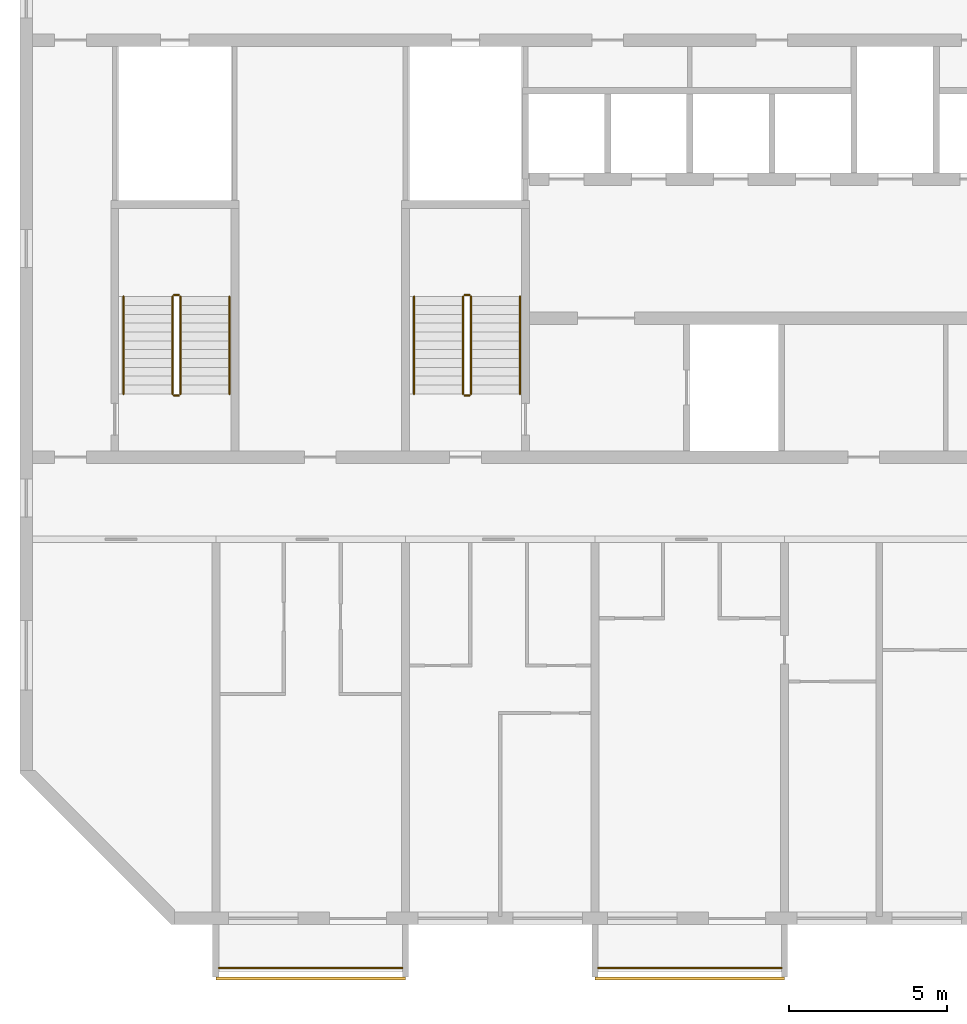
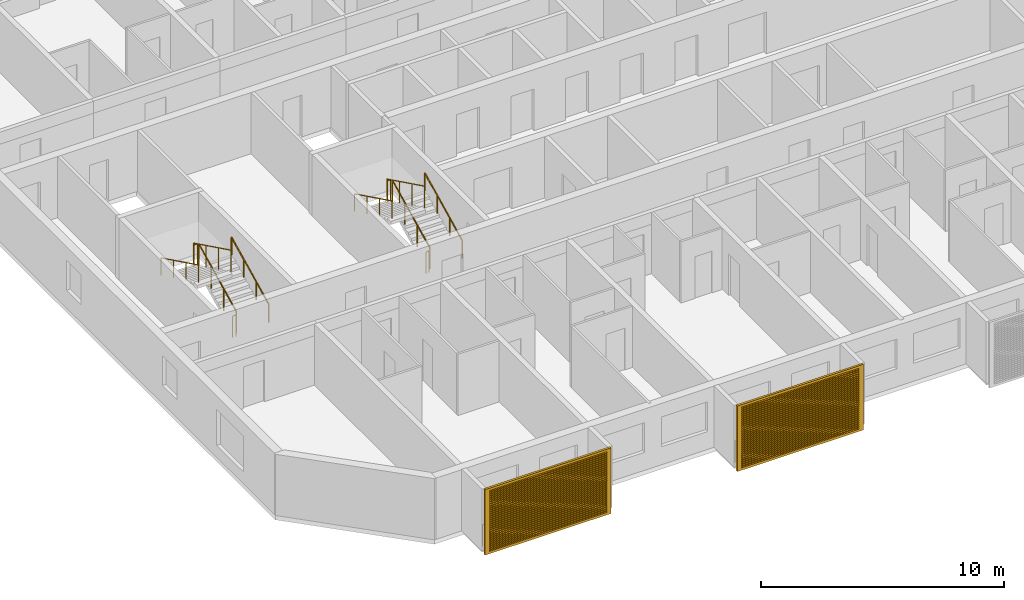
# One storey, part 12 of 26: 14 railings, 2 shading devices.
"""IFC4 building model written with IfcOpenShell, lengths in metres."""

from ifc_helpers import new_model, si_unit, direction, frame, origin, origin_2d, place, context, subcontext, project, spatial, polyline, circle, outline, extrude, source, transform, mapped, material, material_profile, profile_set, type_object, element, save


model = new_model("IFC4")

# Units and contexts
model_context = context("Model", 3, precision=1e-05, world=origin(), true_north=direction((0.0, 1.0)))
body_context = subcontext(model_context, "Body", "Model", "MODEL_VIEW")
ifc_project = project(units=[si_unit("LENGTHUNIT", "METRE"), si_unit("AREAUNIT", "SQUARE_METRE"), si_unit("VOLUMEUNIT", "CUBIC_METRE"), si_unit("PLANEANGLEUNIT", "RADIAN"), si_unit("MASSUNIT", "GRAM", prefix="KILO")], contexts=[model_context])

# Site, building, storey
site_placement = place(None, origin())
site = spatial("IfcSite", under=ifc_project, at=site_placement, CompositionType="ELEMENT")
building_placement = place(site_placement, origin())
building = spatial("IfcBuilding", under=site, at=building_placement, Name="Poui Terraces", CompositionType="ELEMENT")
storey_placement = place(building_placement, frame((0.0, 0.0, 175.199951171875)))
storey = spatial("IfcBuildingStorey", under=building, at=storey_placement, Name="L48", CompositionType="ELEMENT", Elevation=175.199951171875)

# Railings
ifc_material_1 = material(Name="Painted steel fretwork", Category="steel")
railing_type_1 = type_object("IfcRailingType", Name="BALCONY GUARD 1100", PredefinedType="GUARDRAIL", material=ifc_material_1)
for number, where, name in (
    (1, (24.10009765625, -1.570068359375, 0.0), "BALCONY GUARD"),
    (2, (36.10009765625, -1.570068359375, 0.0), "BALCONY GUARD"),
):
    element("IfcRailing", number, at=place(storey_placement, frame(where)), inside=storey, type_object=railing_type_1, Name=name, PredefinedType="GUARDRAIL", context=body_context, shape_type="SweptSolid", body=[
        extrude(circle(Radius=0.02392578125, at=origin_2d()), frame((0.0, 0.0, 1.076171875), z_axis=(1.0, 0.0, 0.0), x_axis=(0.0, 1.0, 0.0)), (0.0, 0.0, 1.0), 5.7998046875),
        extrude(circle(Radius=0.02099609375, at=origin_2d()), origin(), (0.0, 0.0, 1.0), 1.052001953125),
        extrude(circle(Radius=0.02099609375, at=origin_2d()), frame((0.966552734375, 0.0, 0.0)), (0.0, 0.0, 1.0), 1.052001953125),
        extrude(circle(Radius=0.02099609375, at=origin_2d()), frame((1.933349609375, 0.0, 0.0)), (0.0, 0.0, 1.0), 1.052001953125),
        extrude(circle(Radius=0.02099609375, at=origin_2d()), frame((2.89990234375, 0.0, 0.0)), (0.0, 0.0, 1.0), 1.052001953125),
        extrude(circle(Radius=0.02099609375, at=origin_2d()), frame((3.866455078125, 0.0, 0.0)), (0.0, 0.0, 1.0), 1.052001953125),
        extrude(circle(Radius=0.02099609375, at=origin_2d()), frame((4.833251953125, 0.0, 0.0)), (0.0, 0.0, 1.0), 1.052001953125),
        extrude(circle(Radius=0.02099609375, at=origin_2d()), frame((5.7998046875, 0.0, 0.0)), (0.0, 0.0, 1.0), 1.052001953125),
    ])
ifc_material_2 = material(Name="Galvanised steel balustrade", Category="steel")
railing_type_2 = type_object("IfcRailingType", Name="STAIR GUARD 1100", PredefinedType="GUARDRAIL", material=ifc_material_2)
railing_1_placement = place(storey_placement, frame((32.074951171875, 16.60009765625, 0.137451171875)))
element("IfcRailing", 3, at=railing_1_placement, inside=storey, type_object=railing_type_2, Name="L48 ST-CW stair guard 1", PredefinedType="GUARDRAIL", context=body_context, shape_type="SweptSolid", body=[
    extrude(circle(Radius=0.02392578125, at=origin_2d()), frame((0.0, 0.0, 1.076171875), z_axis=(0.0, 0.897578036475, 0.440855609512), x_axis=(-1.0, 0.0, 0.0)), (0.0, 0.0, 1.0), 3.43115234375),
    extrude(circle(Radius=0.02099609375, at=origin_2d()), origin(), (0.0, 0.0, 1.0), 1.052001953125),
    extrude(circle(Radius=0.02099609375, at=origin_2d()), frame((0.0, 1.026611328125, 0.504150390625)), (0.0, 0.0, 1.0), 1.052001953125),
    extrude(circle(Radius=0.02099609375, at=origin_2d()), frame((0.0, 2.05322265625, 1.008544921875)), (0.0, 0.0, 1.0), 1.052001953125),
    extrude(circle(Radius=0.02099609375, at=origin_2d()), frame((0.0, 3.079833984375, 1.5126953125)), (0.0, 0.0, 1.0), 1.052001953125),
])
railing_2_placement = place(storey_placement, frame((32.02490234375, 19.72998046875, 1.650146484375)))
element("IfcRailing", 4, at=railing_2_placement, inside=storey, type_object=railing_type_2, Name="L48 ST-CW stair guard 2", PredefinedType="GUARDRAIL", context=body_context, shape_type="SweptSolid", body=[
    extrude(circle(Radius=0.02392578125, at=origin_2d()), frame((0.0, 0.0, 1.076171875), z_axis=(-1.0, 0.0, 0.0), x_axis=(0.0, -1.0, 0.0)), (0.0, 0.0, 1.0), 0.14990234375),
    extrude(circle(Radius=0.02099609375, at=origin_2d()), origin(), (0.0, 0.0, 1.0), 1.052001953125),
    extrude(circle(Radius=0.02099609375, at=origin_2d()), frame((-0.14990234375, 0.0, 0.0)), (0.0, 0.0, 1.0), 1.052001953125),
])
railing_3_placement = place(storey_placement, frame((31.824951171875, 19.679931640625, 1.78759765625)))
element("IfcRailing", 5, at=railing_3_placement, inside=storey, type_object=railing_type_2, Name="L48 ST-CW stair guard 3", PredefinedType="GUARDRAIL", context=body_context, shape_type="SweptSolid", body=[
    extrude(circle(Radius=0.02392578125, at=origin_2d()), frame((0.0, 0.0, 1.076171875), z_axis=(0.0, -0.897606190399, 0.440798283751), x_axis=(1.0, 0.0, 0.0)), (0.0, 0.0, 1.0), 3.43115234375),
    extrude(circle(Radius=0.02099609375, at=origin_2d()), origin(), (0.0, 0.0, 1.0), 1.052001953125),
    extrude(circle(Radius=0.02099609375, at=origin_2d()), frame((0.0, -1.026611328125, 0.504150390625)), (0.0, 0.0, 1.0), 1.052001953125),
    extrude(circle(Radius=0.02099609375, at=origin_2d()), frame((0.0, -2.05322265625, 1.00830078125)), (0.0, 0.0, 1.0), 1.052001953125),
    extrude(circle(Radius=0.02099609375, at=origin_2d()), frame((0.0, -3.079833984375, 1.512451171875)), (0.0, 0.0, 1.0), 1.052001953125),
])
railing_4_placement = place(storey_placement, frame((32.02490234375, 16.550048828125, 0.0)))
element("IfcRailing", 6, at=railing_4_placement, inside=storey, type_object=railing_type_2, Name="L48 ST-CW stair guard 4", PredefinedType="GUARDRAIL", context=body_context, shape_type="SweptSolid", body=[
    extrude(circle(Radius=0.02392578125, at=origin_2d()), frame((0.0, 0.0, 1.076171875), z_axis=(-1.0, 0.0, 0.0), x_axis=(0.0, -1.0, 0.0)), (0.0, 0.0, 1.0), 0.14990234375),
    extrude(circle(Radius=0.02099609375, at=origin_2d()), origin(), (0.0, 0.0, 1.0), 1.052001953125),
    extrude(circle(Radius=0.02099609375, at=origin_2d()), frame((-0.14990234375, 0.0, 0.0)), (0.0, 0.0, 1.0), 1.052001953125),
])
railing_5_placement = place(storey_placement, frame((22.875, 16.60009765625, 0.137451171875)))
element("IfcRailing", 7, at=railing_5_placement, inside=storey, type_object=railing_type_2, Name="L48 ST-W stair guard 1", PredefinedType="GUARDRAIL", context=body_context, shape_type="SweptSolid", body=[
    extrude(circle(Radius=0.02392578125, at=origin_2d()), frame((0.0, 0.0, 1.076171875), z_axis=(0.0, 0.897578036475, 0.440855609512), x_axis=(-1.0, 0.0, 0.0)), (0.0, 0.0, 1.0), 3.43115234375),
    extrude(circle(Radius=0.02099609375, at=origin_2d()), origin(), (0.0, 0.0, 1.0), 1.052001953125),
    extrude(circle(Radius=0.02099609375, at=origin_2d()), frame((0.0, 1.026611328125, 0.504150390625)), (0.0, 0.0, 1.0), 1.052001953125),
    extrude(circle(Radius=0.02099609375, at=origin_2d()), frame((0.0, 2.05322265625, 1.008544921875)), (0.0, 0.0, 1.0), 1.052001953125),
    extrude(circle(Radius=0.02099609375, at=origin_2d()), frame((0.0, 3.079833984375, 1.5126953125)), (0.0, 0.0, 1.0), 1.052001953125),
])
railing_6_placement = place(storey_placement, frame((22.824951171875, 19.72998046875, 1.650146484375)))
element("IfcRailing", 8, at=railing_6_placement, inside=storey, type_object=railing_type_2, Name="L48 ST-W stair guard 2", PredefinedType="GUARDRAIL", context=body_context, shape_type="SweptSolid", body=[
    extrude(circle(Radius=0.02392578125, at=origin_2d()), frame((0.0, 0.0, 1.076171875), z_axis=(-1.0, 0.0, 0.0), x_axis=(0.0, -1.0, 0.0)), (0.0, 0.0, 1.0), 0.14990234375),
    extrude(circle(Radius=0.02099609375, at=origin_2d()), origin(), (0.0, 0.0, 1.0), 1.052001953125),
    extrude(circle(Radius=0.02099609375, at=origin_2d()), frame((-0.14990234375, 0.0, 0.0)), (0.0, 0.0, 1.0), 1.052001953125),
])
railing_7_placement = place(storey_placement, frame((22.625, 19.679931640625, 1.78759765625)))
element("IfcRailing", 9, at=railing_7_placement, inside=storey, type_object=railing_type_2, Name="L48 ST-W stair guard 3", PredefinedType="GUARDRAIL", context=body_context, shape_type="SweptSolid", body=[
    extrude(circle(Radius=0.02392578125, at=origin_2d()), frame((0.0, 0.0, 1.076171875), z_axis=(0.0, -0.897606190399, 0.440798283751), x_axis=(1.0, 0.0, 0.0)), (0.0, 0.0, 1.0), 3.43115234375),
    extrude(circle(Radius=0.02099609375, at=origin_2d()), origin(), (0.0, 0.0, 1.0), 1.052001953125),
    extrude(circle(Radius=0.02099609375, at=origin_2d()), frame((0.0, -1.026611328125, 0.504150390625)), (0.0, 0.0, 1.0), 1.052001953125),
    extrude(circle(Radius=0.02099609375, at=origin_2d()), frame((0.0, -2.05322265625, 1.00830078125)), (0.0, 0.0, 1.0), 1.052001953125),
    extrude(circle(Radius=0.02099609375, at=origin_2d()), frame((0.0, -3.079833984375, 1.512451171875)), (0.0, 0.0, 1.0), 1.052001953125),
])
railing_8_placement = place(storey_placement, frame((22.824951171875, 16.550048828125, 0.0)))
element("IfcRailing", 10, at=railing_8_placement, inside=storey, type_object=railing_type_2, Name="L48 ST-W stair guard 4", PredefinedType="GUARDRAIL", context=body_context, shape_type="SweptSolid", body=[
    extrude(circle(Radius=0.02392578125, at=origin_2d()), frame((0.0, 0.0, 1.076171875), z_axis=(-1.0, 0.0, 0.0), x_axis=(0.0, -1.0, 0.0)), (0.0, 0.0, 1.0), 0.14990234375),
    extrude(circle(Radius=0.02099609375, at=origin_2d()), origin(), (0.0, 0.0, 1.0), 1.052001953125),
    extrude(circle(Radius=0.02099609375, at=origin_2d()), frame((-0.14990234375, 0.0, 0.0)), (0.0, 0.0, 1.0), 1.052001953125),
])
ifc_material_3 = material(Name="Stainless steel handrail", Category="steel")
railing_type_3 = type_object("IfcRailingType", Name="STAIR HANDRAIL 900", PredefinedType="HANDRAIL", material=ifc_material_3)
railing_9_placement = place(storey_placement, frame((33.625, 16.60009765625, 0.137451171875)))
element("IfcRailing", 11, at=railing_9_placement, inside=storey, type_object=railing_type_3, Name="L48 ST-CW stair handrail 1", PredefinedType="HANDRAIL", context=body_context, shape_type="SweptSolid", body=[
    extrude(circle(Radius=0.02392578125, at=origin_2d()), frame((0.0, 0.0, 0.8759765625), z_axis=(0.0, 0.897578036475, 0.440855609512), x_axis=(-1.0, 0.0, 0.0)), (0.0, 0.0, 1.0), 3.43115234375),
    extrude(circle(Radius=0.02099609375, at=origin_2d()), origin(), (0.0, 0.0, 1.0), 0.851806640625),
    extrude(circle(Radius=0.02099609375, at=origin_2d()), frame((0.0, 1.026611328125, 0.504150390625)), (0.0, 0.0, 1.0), 0.851806640625),
    extrude(circle(Radius=0.02099609375, at=origin_2d()), frame((0.0, 2.05322265625, 1.008544921875)), (0.0, 0.0, 1.0), 0.851806640625),
    extrude(circle(Radius=0.02099609375, at=origin_2d()), frame((0.0, 3.079833984375, 1.5126953125)), (0.0, 0.0, 1.0), 0.851806640625),
])
railing_10_placement = place(storey_placement, frame((30.27490234375, 19.679931640625, 1.78759765625)))
element("IfcRailing", 12, at=railing_10_placement, inside=storey, type_object=railing_type_3, Name="L48 ST-CW stair handrail 2", PredefinedType="HANDRAIL", context=body_context, shape_type="SweptSolid", body=[
    extrude(circle(Radius=0.02392578125, at=origin_2d()), frame((0.0, 0.0, 0.8759765625), z_axis=(0.0, -0.897606190399, 0.440798283751), x_axis=(1.0, 0.0, 0.0)), (0.0, 0.0, 1.0), 3.43115234375),
    extrude(circle(Radius=0.02099609375, at=origin_2d()), origin(), (0.0, 0.0, 1.0), 0.851806640625),
    extrude(circle(Radius=0.02099609375, at=origin_2d()), frame((0.0, -1.026611328125, 0.504150390625)), (0.0, 0.0, 1.0), 0.851806640625),
    extrude(circle(Radius=0.02099609375, at=origin_2d()), frame((0.0, -2.05322265625, 1.00830078125)), (0.0, 0.0, 1.0), 0.851806640625),
    extrude(circle(Radius=0.02099609375, at=origin_2d()), frame((0.0, -3.079833984375, 1.512451171875)), (0.0, 0.0, 1.0), 0.851806640625),
])
railing_11_placement = place(storey_placement, frame((24.425048828125, 16.60009765625, 0.137451171875)))
element("IfcRailing", 13, at=railing_11_placement, inside=storey, type_object=railing_type_3, Name="L48 ST-W stair handrail 1", PredefinedType="HANDRAIL", context=body_context, shape_type="SweptSolid", body=[
    extrude(circle(Radius=0.02392578125, at=origin_2d()), frame((0.0, 0.0, 0.8759765625), z_axis=(0.0, 0.897578036475, 0.440855609512), x_axis=(-1.0, 0.0, 0.0)), (0.0, 0.0, 1.0), 3.43115234375),
    extrude(circle(Radius=0.02099609375, at=origin_2d()), origin(), (0.0, 0.0, 1.0), 0.851806640625),
    extrude(circle(Radius=0.02099609375, at=origin_2d()), frame((0.0, 1.026611328125, 0.504150390625)), (0.0, 0.0, 1.0), 0.851806640625),
    extrude(circle(Radius=0.02099609375, at=origin_2d()), frame((0.0, 2.05322265625, 1.008544921875)), (0.0, 0.0, 1.0), 0.851806640625),
    extrude(circle(Radius=0.02099609375, at=origin_2d()), frame((0.0, 3.079833984375, 1.5126953125)), (0.0, 0.0, 1.0), 0.851806640625),
])
railing_12_placement = place(storey_placement, frame((21.074951171875, 19.679931640625, 1.78759765625)))
element("IfcRailing", 14, at=railing_12_placement, inside=storey, type_object=railing_type_3, Name="L48 ST-W stair handrail 2", PredefinedType="HANDRAIL", context=body_context, shape_type="SweptSolid", body=[
    extrude(circle(Radius=0.02392578125, at=origin_2d()), frame((0.0, 0.0, 0.8759765625), z_axis=(0.0, -0.897606190399, 0.440798283751), x_axis=(1.0, 0.0, 0.0)), (0.0, 0.0, 1.0), 3.43115234375),
    extrude(circle(Radius=0.02099609375, at=origin_2d()), origin(), (0.0, 0.0, 1.0), 0.851806640625),
    extrude(circle(Radius=0.02099609375, at=origin_2d()), frame((0.0, -1.026611328125, 0.504150390625)), (0.0, 0.0, 1.0), 0.851806640625),
    extrude(circle(Radius=0.02099609375, at=origin_2d()), frame((0.0, -2.05322265625, 1.00830078125)), (0.0, 0.0, 1.0), 0.851806640625),
    extrude(circle(Radius=0.02099609375, at=origin_2d()), frame((0.0, -3.079833984375, 1.512451171875)), (0.0, 0.0, 1.0), 0.851806640625),
])

# Shading devices
ifc_material_4 = material(Name="Aluminium louvre", Category="aluminium")
ifc_material_profile = material_profile(ifc_material_4, outline(polyline([(-3.0, -1.64990234375), (3.0, -1.64990234375), (3.0, 1.64990234375), (-3.0, 1.64990234375), (-3.0, -1.64990234375)]), holes=[polyline([(-2.800048828125, -1.530029296875), (2.800048828125, -1.530029296875), (2.800048828125, -1.469970703125), (-2.800048828125, -1.469970703125), (-2.800048828125, -1.530029296875)]), polyline([(-2.800048828125, -1.429931640625), (2.800048828125, -1.429931640625), (2.800048828125, -1.3701171875), (-2.800048828125, -1.3701171875), (-2.800048828125, -1.429931640625)]), polyline([(-2.800048828125, -1.330078125), (2.800048828125, -1.330078125), (2.800048828125, -1.27001953125), (-2.800048828125, -1.27001953125), (-2.800048828125, -1.330078125)]), polyline([(-2.800048828125, -1.22998046875), (2.800048828125, -1.22998046875), (2.800048828125, -1.169921875), (-2.800048828125, -1.169921875), (-2.800048828125, -1.22998046875)]), polyline([(-2.800048828125, -1.1298828125), (2.800048828125, -1.1298828125), (2.800048828125, -1.070068359375), (-2.800048828125, -1.070068359375), (-2.800048828125, -1.1298828125)]), polyline([(-2.800048828125, -1.030029296875), (2.800048828125, -1.030029296875), (2.800048828125, -0.969970703125), (-2.800048828125, -0.969970703125), (-2.800048828125, -1.030029296875)]), polyline([(-2.800048828125, -0.929931640625), (2.800048828125, -0.929931640625), (2.800048828125, -0.8701171875), (-2.800048828125, -0.8701171875), (-2.800048828125, -0.929931640625)]), polyline([(-2.800048828125, -0.830078125), (2.800048828125, -0.830078125), (2.800048828125, -0.77001953125), (-2.800048828125, -0.77001953125), (-2.800048828125, -0.830078125)]), polyline([(-2.800048828125, -0.72998046875), (2.800048828125, -0.72998046875), (2.800048828125, -0.669921875), (-2.800048828125, -0.669921875), (-2.800048828125, -0.72998046875)]), polyline([(-2.800048828125, -0.6298828125), (2.800048828125, -0.6298828125), (2.800048828125, -0.570068359375), (-2.800048828125, -0.570068359375), (-2.800048828125, -0.6298828125)]), polyline([(-2.800048828125, -0.530029296875), (2.800048828125, -0.530029296875), (2.800048828125, -0.469970703125), (-2.800048828125, -0.469970703125), (-2.800048828125, -0.530029296875)]), polyline([(-2.800048828125, -0.429931640625), (2.800048828125, -0.429931640625), (2.800048828125, -0.3701171875), (-2.800048828125, -0.3701171875), (-2.800048828125, -0.429931640625)]), polyline([(-2.800048828125, -0.330078125), (2.800048828125, -0.330078125), (2.800048828125, -0.27001953125), (-2.800048828125, -0.27001953125), (-2.800048828125, -0.330078125)]), polyline([(-2.800048828125, -0.22998046875), (2.800048828125, -0.22998046875), (2.800048828125, -0.169921875), (-2.800048828125, -0.169921875), (-2.800048828125, -0.22998046875)]), polyline([(-2.800048828125, -0.1298828125), (2.800048828125, -0.1298828125), (2.800048828125, -0.070068359375), (-2.800048828125, -0.070068359375), (-2.800048828125, -0.1298828125)]), polyline([(-2.800048828125, -0.030029296875), (2.800048828125, -0.030029296875), (2.800048828125, 0.030029296875), (-2.800048828125, 0.030029296875), (-2.800048828125, -0.030029296875)]), polyline([(-2.800048828125, 0.070068359375), (2.800048828125, 0.070068359375), (2.800048828125, 0.1298828125), (-2.800048828125, 0.1298828125), (-2.800048828125, 0.070068359375)]), polyline([(-2.800048828125, 0.169921875), (2.800048828125, 0.169921875), (2.800048828125, 0.22998046875), (-2.800048828125, 0.22998046875), (-2.800048828125, 0.169921875)]), polyline([(-2.800048828125, 0.27001953125), (2.800048828125, 0.27001953125), (2.800048828125, 0.330078125), (-2.800048828125, 0.330078125), (-2.800048828125, 0.27001953125)]), polyline([(-2.800048828125, 0.3701171875), (2.800048828125, 0.3701171875), (2.800048828125, 0.429931640625), (-2.800048828125, 0.429931640625), (-2.800048828125, 0.3701171875)]), polyline([(-2.800048828125, 0.469970703125), (2.800048828125, 0.469970703125), (2.800048828125, 0.530029296875), (-2.800048828125, 0.530029296875), (-2.800048828125, 0.469970703125)]), polyline([(-2.800048828125, 0.570068359375), (2.800048828125, 0.570068359375), (2.800048828125, 0.6298828125), (-2.800048828125, 0.6298828125), (-2.800048828125, 0.570068359375)]), polyline([(-2.800048828125, 0.669921875), (2.800048828125, 0.669921875), (2.800048828125, 0.72998046875), (-2.800048828125, 0.72998046875), (-2.800048828125, 0.669921875)]), polyline([(-2.800048828125, 0.77001953125), (2.800048828125, 0.77001953125), (2.800048828125, 0.830078125), (-2.800048828125, 0.830078125), (-2.800048828125, 0.77001953125)]), polyline([(-2.800048828125, 0.8701171875), (2.800048828125, 0.8701171875), (2.800048828125, 0.929931640625), (-2.800048828125, 0.929931640625), (-2.800048828125, 0.8701171875)]), polyline([(-2.800048828125, 0.969970703125), (2.800048828125, 0.969970703125), (2.800048828125, 1.030029296875), (-2.800048828125, 1.030029296875), (-2.800048828125, 0.969970703125)]), polyline([(-2.800048828125, 1.070068359375), (2.800048828125, 1.070068359375), (2.800048828125, 1.1298828125), (-2.800048828125, 1.1298828125), (-2.800048828125, 1.070068359375)]), polyline([(-2.800048828125, 1.169921875), (2.800048828125, 1.169921875), (2.800048828125, 1.22998046875), (-2.800048828125, 1.22998046875), (-2.800048828125, 1.169921875)]), polyline([(-2.800048828125, 1.27001953125), (2.800048828125, 1.27001953125), (2.800048828125, 1.330078125), (-2.800048828125, 1.330078125), (-2.800048828125, 1.27001953125)]), polyline([(-2.800048828125, 1.3701171875), (2.800048828125, 1.3701171875), (2.800048828125, 1.429931640625), (-2.800048828125, 1.429931640625), (-2.800048828125, 1.3701171875)]), polyline([(-2.800048828125, 1.469970703125), (2.800048828125, 1.469970703125), (2.800048828125, 1.530029296875), (-2.800048828125, 1.530029296875), (-2.800048828125, 1.469970703125)])]), Name="JALOUSIE LOUVRE SHUTTER 6000X3300")
ifc_profile_set = profile_set([ifc_material_profile], Name="Aluminium louvre")
shading_device_type = type_object("IfcShadingDeviceType", Name="JALOUSIE LOUVRE SHUTTER 6000X3300", PredefinedType="JALOUSIE", material=ifc_profile_set)
shared_shape = source(origin(), body_context, "Body", "SweptSolid", [
    extrude(outline(polyline([(-3.0, -1.64990234375), (3.0, -1.64990234375), (3.0, 1.64990234375), (-3.0, 1.64990234375), (-3.0, -1.64990234375)]), holes=[polyline([(-2.800048828125, -1.530029296875), (2.800048828125, -1.530029296875), (2.800048828125, -1.469970703125), (-2.800048828125, -1.469970703125), (-2.800048828125, -1.530029296875)]), polyline([(-2.800048828125, -1.429931640625), (2.800048828125, -1.429931640625), (2.800048828125, -1.3701171875), (-2.800048828125, -1.3701171875), (-2.800048828125, -1.429931640625)]), polyline([(-2.800048828125, -1.330078125), (2.800048828125, -1.330078125), (2.800048828125, -1.27001953125), (-2.800048828125, -1.27001953125), (-2.800048828125, -1.330078125)]), polyline([(-2.800048828125, -1.22998046875), (2.800048828125, -1.22998046875), (2.800048828125, -1.169921875), (-2.800048828125, -1.169921875), (-2.800048828125, -1.22998046875)]), polyline([(-2.800048828125, -1.1298828125), (2.800048828125, -1.1298828125), (2.800048828125, -1.070068359375), (-2.800048828125, -1.070068359375), (-2.800048828125, -1.1298828125)]), polyline([(-2.800048828125, -1.030029296875), (2.800048828125, -1.030029296875), (2.800048828125, -0.969970703125), (-2.800048828125, -0.969970703125), (-2.800048828125, -1.030029296875)]), polyline([(-2.800048828125, -0.929931640625), (2.800048828125, -0.929931640625), (2.800048828125, -0.8701171875), (-2.800048828125, -0.8701171875), (-2.800048828125, -0.929931640625)]), polyline([(-2.800048828125, -0.830078125), (2.800048828125, -0.830078125), (2.800048828125, -0.77001953125), (-2.800048828125, -0.77001953125), (-2.800048828125, -0.830078125)]), polyline([(-2.800048828125, -0.72998046875), (2.800048828125, -0.72998046875), (2.800048828125, -0.669921875), (-2.800048828125, -0.669921875), (-2.800048828125, -0.72998046875)]), polyline([(-2.800048828125, -0.6298828125), (2.800048828125, -0.6298828125), (2.800048828125, -0.570068359375), (-2.800048828125, -0.570068359375), (-2.800048828125, -0.6298828125)]), polyline([(-2.800048828125, -0.530029296875), (2.800048828125, -0.530029296875), (2.800048828125, -0.469970703125), (-2.800048828125, -0.469970703125), (-2.800048828125, -0.530029296875)]), polyline([(-2.800048828125, -0.429931640625), (2.800048828125, -0.429931640625), (2.800048828125, -0.3701171875), (-2.800048828125, -0.3701171875), (-2.800048828125, -0.429931640625)]), polyline([(-2.800048828125, -0.330078125), (2.800048828125, -0.330078125), (2.800048828125, -0.27001953125), (-2.800048828125, -0.27001953125), (-2.800048828125, -0.330078125)]), polyline([(-2.800048828125, -0.22998046875), (2.800048828125, -0.22998046875), (2.800048828125, -0.169921875), (-2.800048828125, -0.169921875), (-2.800048828125, -0.22998046875)]), polyline([(-2.800048828125, -0.1298828125), (2.800048828125, -0.1298828125), (2.800048828125, -0.070068359375), (-2.800048828125, -0.070068359375), (-2.800048828125, -0.1298828125)]), polyline([(-2.800048828125, -0.030029296875), (2.800048828125, -0.030029296875), (2.800048828125, 0.030029296875), (-2.800048828125, 0.030029296875), (-2.800048828125, -0.030029296875)]), polyline([(-2.800048828125, 0.070068359375), (2.800048828125, 0.070068359375), (2.800048828125, 0.1298828125), (-2.800048828125, 0.1298828125), (-2.800048828125, 0.070068359375)]), polyline([(-2.800048828125, 0.169921875), (2.800048828125, 0.169921875), (2.800048828125, 0.22998046875), (-2.800048828125, 0.22998046875), (-2.800048828125, 0.169921875)]), polyline([(-2.800048828125, 0.27001953125), (2.800048828125, 0.27001953125), (2.800048828125, 0.330078125), (-2.800048828125, 0.330078125), (-2.800048828125, 0.27001953125)]), polyline([(-2.800048828125, 0.3701171875), (2.800048828125, 0.3701171875), (2.800048828125, 0.429931640625), (-2.800048828125, 0.429931640625), (-2.800048828125, 0.3701171875)]), polyline([(-2.800048828125, 0.469970703125), (2.800048828125, 0.469970703125), (2.800048828125, 0.530029296875), (-2.800048828125, 0.530029296875), (-2.800048828125, 0.469970703125)]), polyline([(-2.800048828125, 0.570068359375), (2.800048828125, 0.570068359375), (2.800048828125, 0.6298828125), (-2.800048828125, 0.6298828125), (-2.800048828125, 0.570068359375)]), polyline([(-2.800048828125, 0.669921875), (2.800048828125, 0.669921875), (2.800048828125, 0.72998046875), (-2.800048828125, 0.72998046875), (-2.800048828125, 0.669921875)]), polyline([(-2.800048828125, 0.77001953125), (2.800048828125, 0.77001953125), (2.800048828125, 0.830078125), (-2.800048828125, 0.830078125), (-2.800048828125, 0.77001953125)]), polyline([(-2.800048828125, 0.8701171875), (2.800048828125, 0.8701171875), (2.800048828125, 0.929931640625), (-2.800048828125, 0.929931640625), (-2.800048828125, 0.8701171875)]), polyline([(-2.800048828125, 0.969970703125), (2.800048828125, 0.969970703125), (2.800048828125, 1.030029296875), (-2.800048828125, 1.030029296875), (-2.800048828125, 0.969970703125)]), polyline([(-2.800048828125, 1.070068359375), (2.800048828125, 1.070068359375), (2.800048828125, 1.1298828125), (-2.800048828125, 1.1298828125), (-2.800048828125, 1.070068359375)]), polyline([(-2.800048828125, 1.169921875), (2.800048828125, 1.169921875), (2.800048828125, 1.22998046875), (-2.800048828125, 1.22998046875), (-2.800048828125, 1.169921875)]), polyline([(-2.800048828125, 1.27001953125), (2.800048828125, 1.27001953125), (2.800048828125, 1.330078125), (-2.800048828125, 1.330078125), (-2.800048828125, 1.27001953125)]), polyline([(-2.800048828125, 1.3701171875), (2.800048828125, 1.3701171875), (2.800048828125, 1.429931640625), (-2.800048828125, 1.429931640625), (-2.800048828125, 1.3701171875)]), polyline([(-2.800048828125, 1.469970703125), (2.800048828125, 1.469970703125), (2.800048828125, 1.530029296875), (-2.800048828125, 1.530029296875), (-2.800048828125, 1.469970703125)])]), origin(), (0.0, 0.0, 1.0), 0.099853515625),
])
for number, where, z_axis, x_axis, name in (
    (15, (27.0, -1.85009765625, 1.449951171875), (0.0, -1.0, 0.0), (1.0, 0.0, 0.0), "JALOUSIE LOUVRE SHUTTER"),
    (16, (39.0, -1.85009765625, 1.449951171875), (0.0, -1.0, 0.0), (1.0, 0.0, 0.0), "JALOUSIE LOUVRE SHUTTER"),
):
    element("IfcShadingDevice", number, at=place(storey_placement, frame(where, z_axis=z_axis, x_axis=x_axis)), inside=storey, type_object=shading_device_type, Name=name, PredefinedType="JALOUSIE", context=body_context, shape_type="MappedRepresentation", body=[
        mapped(shared_shape, transform((0.0, 0.0, 0.0))),
    ])

save(model, "model.ifc")
